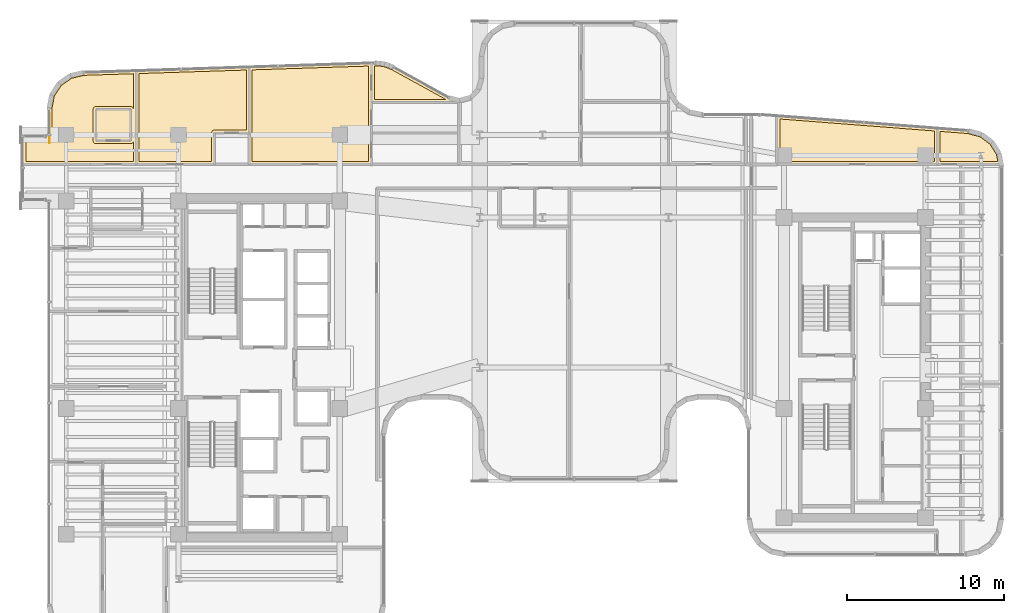
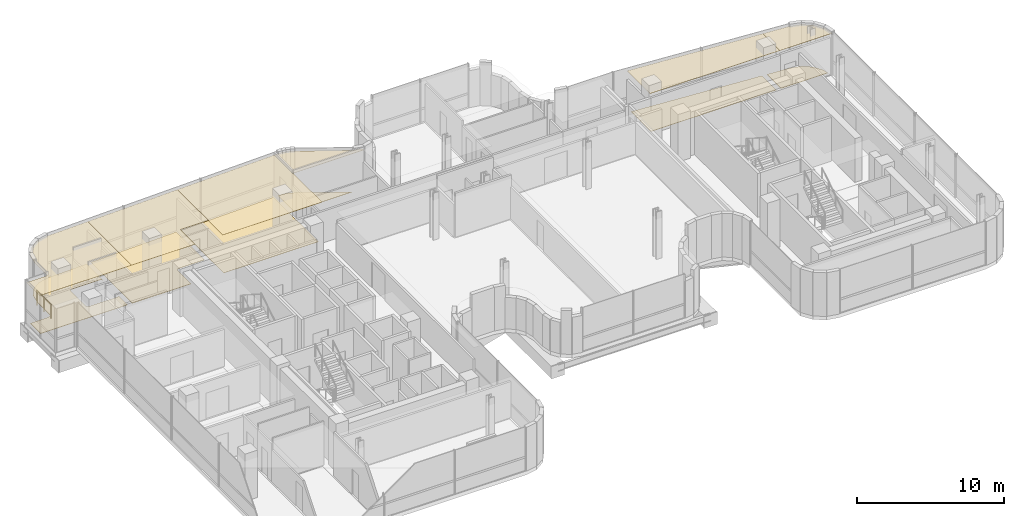
# One storey, part 38 of 39: 12 coverings, 1 railing.
"""IFC4 building model written with IfcOpenShell, lengths in metres."""

from ifc_helpers import new_model, si_unit, direction, frame, origin, origin_2d, place, context, subcontext, project, spatial, polyline, circle, outline, extrude, material, layer, layer_set, type_object, element, save


model = new_model("IFC4")

# Units and contexts
model_context = context("Model", 3, precision=1e-05, world=origin(), true_north=direction((0.0, 1.0)))
body_context = subcontext(model_context, "Body", "Model", "MODEL_VIEW")
ifc_project = project(units=[si_unit("LENGTHUNIT", "METRE"), si_unit("AREAUNIT", "SQUARE_METRE"), si_unit("VOLUMEUNIT", "CUBIC_METRE"), si_unit("PLANEANGLEUNIT", "RADIAN"), si_unit("MASSUNIT", "GRAM", prefix="KILO")], contexts=[model_context])

# Site, building, storey
site_placement = place(None, origin())
site = spatial("IfcSite", under=ifc_project, at=site_placement, CompositionType="ELEMENT")
building_placement = place(site_placement, origin())
building = spatial("IfcBuilding", under=site, at=building_placement, Name="Valdorenza Pilgrim Sanctuary Tower", CompositionType="ELEMENT")
storey_placement = place(building_placement, frame((0.0, 0.0, 184.449951171875)))
storey = spatial("IfcBuildingStorey", under=building, at=storey_placement, Name="L47", CompositionType="ELEMENT", Elevation=184.449951171875)

# Coverings
ifc_material_1 = material(Name="Micro-perforated acoustic mineral ceiling tile", Category="gypsum")
ifc_layer_1 = layer(ifc_material_1, 0.02490234375, Name="Micro-perforated acoustic mineral ceiling tile")
ifc_layer_set_1 = layer_set([ifc_layer_1], Name="Micro-perforated acoustic mineral ceiling tile")
covering_type_1 = type_object("IfcCoveringType", Name="COV-CLG-ACU", PredefinedType="CEILING", material=ifc_layer_set_1)
covering_1_placement = place(storey_placement, frame((0.0, 0.0, 3.330078125)))
element("IfcCovering", 1, at=covering_1_placement, inside=storey, type_object=covering_type_1, Name="L47 North Family Guest Room L47-N1A Acoustic Ceiling", PredefinedType="CEILING", context=body_context, shape_type="SweptSolid", body=[
    extrude(outline(polyline([(-31.00048828125, 14.705078125), (-30.99072265625, 14.70556640625), (-30.9814453125, 14.706787109375), (-30.972412109375, 14.708984375), (-30.963623046875, 14.712158203125), (-30.955078125, 14.71630859375), (-30.947265625, 14.720947265625), (-30.939697265625, 14.7265625), (-30.932861328125, 14.73291015625), (-30.926513671875, 14.73974609375), (-30.9208984375, 14.747314453125), (-30.916259765625, 14.755126953125), (-30.912109375, 14.763671875), (-30.9091796875, 14.7724609375), (-30.90673828125, 14.781494140625), (-30.905517578125, 14.790771484375), (-30.905029296875, 14.80029296875), (-30.905029296875, 16.46630859375), (-30.90478515625, 16.4677734375), (-30.90478515625, 16.46923828125), (-30.735595703125, 17.337890625), (-30.735107421875, 17.33935546875), (-30.734619140625, 17.3408203125), (-30.734130859375, 17.342041015625), (-30.7333984375, 17.34326171875), (-30.256591796875, 18.076416015625), (-30.255615234375, 18.077392578125), (-30.254638671875, 18.07861328125), (-30.253662109375, 18.07958984375), (-30.25244140625, 18.08056640625), (-29.535400390625, 18.580810546875), (-29.5341796875, 18.581787109375), (-29.532958984375, 18.58251953125), (-29.531494140625, 18.5830078125), (-29.5302734375, 18.583251953125), (-28.667236328125, 18.780517578125), (-28.665771484375, 18.781005859375), (-28.664306640625, 18.781005859375), (-25.35400390625, 18.888916015625), (-25.3525390625, 18.888916015625), (-25.35107421875, 18.888671875), (-25.349609375, 18.88818359375), (-25.34814453125, 18.8876953125), (-25.3466796875, 18.88720703125), (-25.345458984375, 18.886474609375), (-25.34423828125, 18.885498046875), (-25.343017578125, 18.884521484375), (-25.342041015625, 18.883544921875), (-25.341064453125, 18.88232421875), (-25.34033203125, 18.881103515625), (-25.339599609375, 18.879638671875), (-25.339111328125, 18.878173828125), (-25.3388671875, 18.876708984375), (-25.338623046875, 18.875244140625), (-25.33837890625, 18.873779296875), (-25.33837890625, 12.919921875), (-25.338623046875, 12.91845703125), (-25.3388671875, 12.9169921875), (-25.339111328125, 12.91552734375), (-25.339599609375, 12.914306640625), (-25.34033203125, 12.912841796875), (-25.341064453125, 12.91162109375), (-25.341796875, 12.910400390625), (-25.343017578125, 12.909423828125), (-25.343994140625, 12.908447265625), (-25.34521484375, 12.907470703125), (-25.346435546875, 12.90673828125), (-25.347900390625, 12.906005859375), (-25.34912109375, 12.905517578125), (-25.3505859375, 12.9052734375), (-25.35205078125, 12.905029296875), (-25.353515625, 12.905029296875), (-32.5400390625, 12.905029296875), (-32.54150390625, 12.905029296875), (-32.54296875, 12.9052734375), (-32.54443359375, 12.905517578125), (-32.545654296875, 12.906005859375), (-32.547119140625, 12.90673828125), (-32.54833984375, 12.907470703125), (-32.549560546875, 12.908447265625), (-32.550537109375, 12.909423828125), (-32.551513671875, 12.910400390625), (-32.552490234375, 12.91162109375), (-32.55322265625, 12.912841796875), (-32.553955078125, 12.914306640625), (-32.554443359375, 12.91552734375), (-32.5546875, 12.9169921875), (-32.554931640625, 12.91845703125), (-32.554931640625, 12.919921875), (-32.554931640625, 14.68994140625), (-32.554931640625, 14.69140625), (-32.5546875, 14.69287109375), (-32.554443359375, 14.6943359375), (-32.553955078125, 14.69580078125), (-32.55322265625, 14.697021484375), (-32.552490234375, 14.6982421875), (-32.551513671875, 14.699462890625), (-32.550537109375, 14.70068359375), (-32.549560546875, 14.70166015625), (-32.54833984375, 14.702392578125), (-32.547119140625, 14.703125), (-32.545654296875, 14.703857421875), (-32.54443359375, 14.704345703125), (-32.54296875, 14.70458984375), (-32.54150390625, 14.704833984375), (-32.5400390625, 14.705078125), (-31.00048828125, 14.705078125)])), origin(), (0.0, 0.0, 1.0), 0.02490234375),
])
covering_2_placement = place(storey_placement, frame((0.0, 0.0, 3.330078125)))
element("IfcCovering", 2, at=covering_2_placement, inside=storey, type_object=covering_type_1, Name="L47 North Family Guest Room L47-N1B Acoustic Ceiling", PredefinedType="CEILING", context=body_context, shape_type="SweptSolid", body=[
    extrude(outline(polyline([(-25.366455078125, 18.873779296875), (-25.366455078125, 18.87451171875), (-25.3662109375, 18.876220703125), (-25.365966796875, 18.87744140625), (-25.365478515625, 18.87890625), (-25.364990234375, 18.88037109375), (-25.3642578125, 18.881591796875), (-25.363525390625, 18.8828125), (-25.362548828125, 18.884033203125), (-25.361572265625, 18.885009765625), (-25.3603515625, 18.885986328125), (-25.359130859375, 18.88671875), (-25.35791015625, 18.887451171875), (-25.3564453125, 18.887939453125), (-25.35498046875, 18.888427734375), (-25.353515625, 18.888671875), (-25.35205078125, 18.888916015625), (-18.16748046875, 19.122802734375), (-18.166015625, 19.122802734375), (-18.16455078125, 19.12255859375), (-18.1630859375, 19.122314453125), (-18.16162109375, 19.121826171875), (-18.16015625, 19.12109375), (-18.158935546875, 19.120361328125), (-18.15771484375, 19.119384765625), (-18.156494140625, 19.11865234375), (-18.155517578125, 19.117431640625), (-18.154541015625, 19.1162109375), (-18.15380859375, 19.114990234375), (-18.1533203125, 19.113525390625), (-18.152587890625, 19.1123046875), (-18.15234375, 19.11083984375), (-18.152099609375, 19.109375), (-18.152099609375, 19.10791015625), (-18.152099609375, 14.922119140625), (-18.152099609375, 14.92041015625), (-18.15234375, 14.919189453125), (-18.152587890625, 14.91748046875), (-18.153076171875, 14.916259765625), (-18.15380859375, 14.914794921875), (-18.154541015625, 14.913818359375), (-18.155517578125, 14.91259765625), (-18.156494140625, 14.911376953125), (-18.157470703125, 14.910400390625), (-18.15869140625, 14.909423828125), (-18.159912109375, 14.90869140625), (-18.161376953125, 14.908203125), (-18.16259765625, 14.90771484375), (-18.1640625, 14.9072265625), (-18.16552734375, 14.906982421875), (-18.1669921875, 14.906982421875), (-20.35400390625, 14.906982421875), (-20.35400390625, 12.919921875), (-20.35400390625, 12.91845703125), (-20.354248046875, 12.9169921875), (-20.3544921875, 12.91552734375), (-20.35498046875, 12.914306640625), (-20.355712890625, 12.912841796875), (-20.3564453125, 12.91162109375), (-20.357421875, 12.910400390625), (-20.3583984375, 12.909423828125), (-20.359619140625, 12.908447265625), (-20.360595703125, 12.907470703125), (-20.36181640625, 12.90673828125), (-20.36328125, 12.906005859375), (-20.364501953125, 12.905517578125), (-20.3662109375, 12.9052734375), (-20.367431640625, 12.905029296875), (-20.368896484375, 12.905029296875), (-25.3515625, 12.905029296875), (-25.35302734375, 12.905029296875), (-25.3544921875, 12.9052734375), (-25.35595703125, 12.905517578125), (-25.357177734375, 12.906005859375), (-25.358642578125, 12.90673828125), (-25.35986328125, 12.907470703125), (-25.361083984375, 12.908447265625), (-25.362060546875, 12.909423828125), (-25.363037109375, 12.910400390625), (-25.364013671875, 12.91162109375), (-25.36474609375, 12.912841796875), (-25.365478515625, 12.914306640625), (-25.365966796875, 12.91552734375), (-25.3662109375, 12.9169921875), (-25.366455078125, 12.91845703125), (-25.366455078125, 12.919921875), (-25.366455078125, 18.873779296875), (-25.366455078125, 18.873779296875)])), origin(), (0.0, 0.0, 1.0), 0.02490234375),
])
covering_3_placement = place(storey_placement, frame((0.0, 0.0, 3.330078125)))
element("IfcCovering", 3, at=covering_3_placement, inside=storey, type_object=covering_type_1, Name="L47 North Family Flat L47-N2 Bedroom Acoustic Ceiling", PredefinedType="CEILING", context=body_context, shape_type="SweptSolid", body=[
    extrude(outline(polyline([(-10.38330078125, 16.85498046875), (-10.385009765625, 16.85498046875), (-10.38623046875, 16.855224609375), (-10.3876953125, 16.855712890625), (-10.38916015625, 16.856201171875), (-10.390380859375, 16.856689453125), (-10.3916015625, 16.857421875), (-10.392822265625, 16.8583984375), (-10.39404296875, 16.859375), (-10.39501953125, 16.860595703125), (-10.39599609375, 16.86181640625), (-10.396484375, 16.86279296875), (-10.397216796875, 16.8642578125), (-10.397705078125, 16.865478515625), (-10.398193359375, 16.8671875), (-10.398193359375, 16.868408203125), (-10.3984375, 16.8701171875), (-10.3984375, 19.361083984375), (-10.398193359375, 19.362548828125), (-10.398193359375, 19.364013671875), (-10.397705078125, 19.365478515625), (-10.397216796875, 19.36669921875), (-10.396728515625, 19.3681640625), (-10.39599609375, 19.369384765625), (-10.39501953125, 19.37060546875), (-10.394287109375, 19.37158203125), (-10.39306640625, 19.37255859375), (-10.39208984375, 19.37353515625), (-10.390869140625, 19.374267578125), (-10.389404296875, 19.375), (-10.38818359375, 19.37548828125), (-10.38671875, 19.375732421875), (-10.38525390625, 19.376220703125), (-10.3837890625, 19.376220703125), (-10.15966796875, 19.383544921875), (-10.1591796875, 19.383544921875), (-10.156982421875, 19.383544921875), (-10.156494140625, 19.383544921875), (-9.84765625, 19.372802734375), (-9.845703125, 19.37255859375), (-9.5439453125, 19.3212890625), (-9.5419921875, 19.32080078125), (-9.24951171875, 19.229736328125), (-9.24755859375, 19.22900390625), (-8.966552734375, 19.09814453125), (-8.9658203125, 19.097900390625), (-5.477294921875, 17.178955078125), (-5.469482421875, 17.17529296875), (-5.4619140625, 17.172119140625), (-5.453857421875, 17.169921875), (-4.829345703125, 17.0146484375), (-4.827880859375, 17.014404296875), (-4.82666015625, 17.013671875), (-4.825439453125, 17.01318359375), (-4.82421875, 17.01220703125), (-4.822998046875, 17.011474609375), (-4.822021484375, 17.010498046875), (-4.8212890625, 17.00927734375), (-4.8203125, 17.00830078125), (-4.819580078125, 17.007080078125), (-4.819091796875, 17.005615234375), (-4.818603515625, 17.00439453125), (-4.818359375, 17.0029296875), (-4.818115234375, 17.00146484375), (-4.818115234375, 17.0), (-4.818115234375, 16.8701171875), (-4.818115234375, 16.868408203125), (-4.818359375, 16.8671875), (-4.818603515625, 16.865478515625), (-4.819091796875, 16.8642578125), (-4.81982421875, 16.86279296875), (-4.820556640625, 16.86181640625), (-4.8212890625, 16.860595703125), (-4.822509765625, 16.859375), (-4.823486328125, 16.8583984375), (-4.82470703125, 16.857421875), (-4.825927734375, 16.856689453125), (-4.827392578125, 16.856201171875), (-4.82861328125, 16.855712890625), (-4.830078125, 16.855224609375), (-4.83154296875, 16.85498046875), (-4.8330078125, 16.85498046875), (-10.38330078125, 16.85498046875)])), origin(), (0.0, 0.0, 1.0), 0.02490234375),
])
covering_4_placement = place(storey_placement, frame((0.0, 0.0, 3.330078125)))
element("IfcCovering", 4, at=covering_4_placement, inside=storey, type_object=covering_type_1, Name="L47 North Family Flat L47-N2 Living Room Acoustic Ceiling", PredefinedType="CEILING", context=body_context, shape_type="SweptSolid", body=[
    extrude(outline(polyline([(-18.179931640625, 14.918212890625), (-18.18017578125, 14.9189453125), (-18.180419921875, 14.92041015625), (-18.18017578125, 14.922119140625), (-18.18017578125, 14.923583984375), (-18.179931640625, 14.923828125), (-18.179931640625, 19.10791015625), (-18.179931640625, 19.10791015625), (-18.179931640625, 19.108642578125), (-18.1796875, 19.110107421875), (-18.179443359375, 19.111572265625), (-18.17919921875, 19.11279296875), (-18.178466796875, 19.1142578125), (-18.177734375, 19.115478515625), (-18.177001953125, 19.116943359375), (-18.176025390625, 19.117919921875), (-18.175048828125, 19.118896484375), (-18.173828125, 19.1201171875), (-18.172607421875, 19.120849609375), (-18.17138671875, 19.12158203125), (-18.169921875, 19.1220703125), (-18.16845703125, 19.122314453125), (-18.1669921875, 19.122802734375), (-18.16552734375, 19.122802734375), (-10.385986328125, 19.376220703125), (-10.384521484375, 19.376220703125), (-10.3828125, 19.3759765625), (-10.38134765625, 19.37548828125), (-10.3798828125, 19.375), (-10.378662109375, 19.37451171875), (-10.377197265625, 19.373779296875), (-10.376220703125, 19.372802734375), (-10.375, 19.371826171875), (-10.373779296875, 19.370849609375), (-10.373046875, 19.36962890625), (-10.372314453125, 19.368408203125), (-10.37158203125, 19.366943359375), (-10.37109375, 19.365478515625), (-10.37060546875, 19.364013671875), (-10.37060546875, 19.362548828125), (-10.370361328125, 19.361083984375), (-10.370361328125, 16.87548828125), (-10.3701171875, 16.875), (-10.369384765625, 16.87353515625), (-10.368896484375, 16.872314453125), (-10.36865234375, 16.870849609375), (-10.368408203125, 16.869384765625), (-10.368408203125, 16.867919921875), (-10.368408203125, 12.919921875), (-10.368408203125, 12.91845703125), (-10.36865234375, 12.9169921875), (-10.368896484375, 12.91552734375), (-10.369384765625, 12.914306640625), (-10.3701171875, 12.912841796875), (-10.370849609375, 12.91162109375), (-10.371826171875, 12.910400390625), (-10.372802734375, 12.909423828125), (-10.373779296875, 12.908447265625), (-10.375, 12.907470703125), (-10.376220703125, 12.90673828125), (-10.377685546875, 12.906005859375), (-10.37890625, 12.905517578125), (-10.380615234375, 12.9052734375), (-10.3818359375, 12.905029296875), (-10.38330078125, 12.905029296875), (-18.1650390625, 12.905029296875), (-18.16650390625, 12.905029296875), (-18.16796875, 12.9052734375), (-18.16943359375, 12.905517578125), (-18.170654296875, 12.906005859375), (-18.172119140625, 12.90673828125), (-18.17333984375, 12.907470703125), (-18.174560546875, 12.908447265625), (-18.175537109375, 12.909423828125), (-18.176513671875, 12.910400390625), (-18.177490234375, 12.91162109375), (-18.17822265625, 12.912841796875), (-18.178955078125, 12.914306640625), (-18.179443359375, 12.91552734375), (-18.1796875, 12.9169921875), (-18.179931640625, 12.91845703125), (-18.179931640625, 12.919921875), (-18.179931640625, 14.918212890625)])), origin(), (0.0, 0.0, 1.0), 0.02490234375),
])
covering_5_placement = place(storey_placement, frame((0.0, 0.0, 3.330078125)))
element("IfcCovering", 5, at=covering_5_placement, inside=storey, type_object=covering_type_1, Name="L47 Curator Research Office L47-BN1 Acoustic Ceiling", PredefinedType="CEILING", context=body_context, shape_type="SweptSolid", body=[
    extrude(outline(polyline([(15.39990234375, 12.905029296875), (15.3984375, 12.905029296875), (15.397216796875, 12.9052734375), (15.3955078125, 12.905517578125), (15.394287109375, 12.906005859375), (15.392822265625, 12.90673828125), (15.3916015625, 12.907470703125), (15.390380859375, 12.908447265625), (15.389404296875, 12.909423828125), (15.388427734375, 12.910400390625), (15.387451171875, 12.91162109375), (15.38671875, 12.912841796875), (15.385986328125, 12.914306640625), (15.385498046875, 12.91552734375), (15.38525390625, 12.9169921875), (15.385009765625, 12.91845703125), (15.385009765625, 12.919921875), (15.385009765625, 16.00439453125), (15.385009765625, 16.006103515625), (15.38525390625, 16.00732421875), (15.385498046875, 16.0087890625), (15.385986328125, 16.01025390625), (15.38671875, 16.011474609375), (15.387451171875, 16.0126953125), (15.38818359375, 16.013916015625), (15.389404296875, 16.014892578125), (15.390380859375, 16.01611328125), (15.3916015625, 16.016845703125), (15.392822265625, 16.017578125), (15.39404296875, 16.018310546875), (15.3955078125, 16.018798828125), (15.396728515625, 16.019287109375), (15.398193359375, 16.019287109375), (15.399658203125, 16.01953125), (15.401123046875, 16.01953125), (25.601318359375, 15.229736328125), (25.6025390625, 15.2294921875), (25.60400390625, 15.229248046875), (25.60546875, 15.228759765625), (25.60693359375, 15.228271484375), (25.608154296875, 15.2275390625), (25.609375, 15.2265625), (25.610595703125, 15.2255859375), (25.611572265625, 15.224609375), (25.6123046875, 15.223388671875), (25.61328125, 15.221923828125), (25.61376953125, 15.220703125), (25.6142578125, 15.21923828125), (25.61474609375, 15.2177734375), (25.614990234375, 15.21630859375), (25.614990234375, 15.21484375), (25.614990234375, 12.919921875), (25.614990234375, 12.91845703125), (25.61474609375, 12.9169921875), (25.614501953125, 12.91552734375), (25.614013671875, 12.914306640625), (25.61328125, 12.912841796875), (25.612548828125, 12.91162109375), (25.611572265625, 12.910400390625), (25.610595703125, 12.909423828125), (25.609619140625, 12.908447265625), (25.6083984375, 12.907470703125), (25.607177734375, 12.90673828125), (25.605712890625, 12.906005859375), (25.6044921875, 12.905517578125), (25.602783203125, 12.9052734375), (25.6015625, 12.905029296875), (25.60009765625, 12.905029296875), (15.39990234375, 12.905029296875)])), origin(), (0.0, 0.0, 1.0), 0.02490234375),
])
covering_6_placement = place(storey_placement, frame((0.0, 0.0, 3.330078125)))
element("IfcCovering", 6, at=covering_6_placement, inside=storey, type_object=covering_type_1, Name="L47 East Wing Reference Library L47-BNE Acoustic Ceiling", PredefinedType="CEILING", context=body_context, shape_type="SweptSolid", body=[
    extrude(outline(polyline([(27.567626953125, 15.07763671875), (27.569091796875, 15.077392578125), (27.570556640625, 15.0771484375), (28.400390625, 14.852783203125), (28.40185546875, 14.852294921875), (28.403076171875, 14.851806640625), (28.404296875, 14.85107421875), (28.405517578125, 14.850341796875), (29.088134765625, 14.344970703125), (29.089111328125, 14.343994140625), (29.090087890625, 14.343017578125), (29.091064453125, 14.342041015625), (29.091796875, 14.3408203125), (29.543212890625, 13.62109375), (29.543701171875, 13.6201171875), (29.544189453125, 13.61865234375), (29.544921875, 13.617431640625), (29.545166015625, 13.615966796875), (29.676025390625, 12.9228515625), (29.67626953125, 12.92138671875), (29.67626953125, 12.919921875), (29.67626953125, 12.91845703125), (29.676025390625, 12.9169921875), (29.67578125, 12.91552734375), (29.67529296875, 12.914306640625), (29.674560546875, 12.912841796875), (29.673828125, 12.91162109375), (29.6728515625, 12.910400390625), (29.671875, 12.9091796875), (29.6708984375, 12.908447265625), (29.669677734375, 12.907470703125), (29.66845703125, 12.90673828125), (29.6669921875, 12.906005859375), (29.665771484375, 12.905517578125), (29.664306640625, 12.9052734375), (29.662841796875, 12.905029296875), (29.661376953125, 12.905029296875), (25.60205078125, 12.905029296875), (25.6005859375, 12.905029296875), (25.59912109375, 12.9052734375), (25.59765625, 12.905517578125), (25.59619140625, 12.906005859375), (25.594970703125, 12.90673828125), (25.59375, 12.907470703125), (25.592529296875, 12.908447265625), (25.59130859375, 12.909423828125), (25.59033203125, 12.910400390625), (25.589599609375, 12.91162109375), (25.5888671875, 12.912841796875), (25.588134765625, 12.914306640625), (25.587646484375, 12.91552734375), (25.58740234375, 12.9169921875), (25.587158203125, 12.91845703125), (25.5869140625, 12.919921875), (25.5869140625, 15.214599609375), (25.587158203125, 15.21630859375), (25.58740234375, 15.217529296875), (25.587646484375, 15.218994140625), (25.588134765625, 15.220458984375), (25.588623046875, 15.2216796875), (25.589599609375, 15.222900390625), (25.59033203125, 15.22412109375), (25.59130859375, 15.22509765625), (25.59228515625, 15.226318359375), (25.593505859375, 15.22705078125), (25.5947265625, 15.227783203125), (25.59619140625, 15.228515625), (25.597412109375, 15.22900390625), (25.598876953125, 15.2294921875), (25.600341796875, 15.2294921875), (25.601806640625, 15.229736328125), (25.603271484375, 15.229736328125), (27.567626953125, 15.07763671875)])), origin(), (0.0, 0.0, 1.0), 0.02490234375),
])
ifc_material_2 = material(Name="Engineered European oak timber flooring", Category="wood")
ifc_layer_2 = layer(ifc_material_2, 0.02197265625, Name="Engineered European oak timber flooring")
ifc_layer_set_2 = layer_set([ifc_layer_2], Name="Engineered European oak timber flooring")
covering_type_2 = type_object("IfcCoveringType", Name="COV-FLR-OAK", PredefinedType="FLOORING", material=ifc_layer_set_2)
covering_7_placement = place(storey_placement, origin())
element("IfcCovering", 7, at=covering_7_placement, inside=storey, type_object=covering_type_2, Name="L47 North Family Guest Room L47-N1A Flooring", PredefinedType="FLOORING", context=body_context, shape_type="SweptSolid", body=[
    extrude(outline(polyline([(-31.0, 14.510009765625), (-30.9912109375, 14.51025390625), (-30.98046875, 14.5107421875), (-30.962890625, 14.512451171875), (-30.9521484375, 14.51416015625), (-30.934814453125, 14.517578125), (-30.92431640625, 14.52001953125), (-30.907470703125, 14.525390625), (-30.897216796875, 14.52880859375), (-30.880859375, 14.53564453125), (-30.87109375, 14.540283203125), (-30.855712890625, 14.548583984375), (-30.84619140625, 14.55419921875), (-30.831787109375, 14.56396484375), (-30.822998046875, 14.5703125), (-30.809326171875, 14.58154296875), (-30.80126953125, 14.5888671875), (-30.788818359375, 14.601318359375), (-30.781494140625, 14.609375), (-30.7705078125, 14.623046875), (-30.763916015625, 14.631591796875), (-30.754150390625, 14.646240234375), (-30.74853515625, 14.655517578125), (-30.740234375, 14.671142578125), (-30.735595703125, 14.680908203125), (-30.72900390625, 14.697265625), (-30.725341796875, 14.70751953125), (-30.72021484375, 14.724365234375), (-30.717529296875, 14.73486328125), (-30.714111328125, 14.752197265625), (-30.71240234375, 14.7626953125), (-30.710693359375, 14.780517578125), (-30.710205078125, 14.791259765625), (-30.7099609375, 14.800048828125), (-30.7099609375, 16.448974609375), (-30.55078125, 17.266357421875), (-30.112060546875, 17.940673828125), (-29.45263671875, 18.40087890625), (-28.640625, 18.586669921875), (-25.533447265625, 18.687744140625), (-25.533447265625, 16.489013671875), (-25.537109375, 16.497802734375), (-25.537109375, 16.497802734375), (-25.54541015625, 16.513427734375), (-25.545654296875, 16.513671875), (-25.555419921875, 16.5283203125), (-25.5556640625, 16.528564453125), (-25.56689453125, 16.5419921875), (-25.56689453125, 16.542236328125), (-25.579345703125, 16.5546875), (-25.57958984375, 16.554931640625), (-25.59326171875, 16.566162109375), (-25.593505859375, 16.566162109375), (-25.608154296875, 16.576171875), (-25.608154296875, 16.576171875), (-25.623779296875, 16.58447265625), (-25.6240234375, 16.584716796875), (-25.640380859375, 16.59130859375), (-25.640380859375, 16.59130859375), (-25.657470703125, 16.596435546875), (-25.65771484375, 16.5966796875), (-25.6748046875, 16.60009765625), (-25.675048828125, 16.60009765625), (-25.692626953125, 16.601806640625), (-25.69287109375, 16.601806640625), (-25.70166015625, 16.60205078125), (-27.901611328125, 16.60205078125), (-27.910400390625, 16.601806640625), (-27.91064453125, 16.601806640625), (-27.92822265625, 16.60009765625), (-27.928466796875, 16.60009765625), (-27.94580078125, 16.5966796875), (-27.946044921875, 16.596435546875), (-27.962890625, 16.59130859375), (-27.963134765625, 16.59130859375), (-27.9794921875, 16.584716796875), (-27.9794921875, 16.58447265625), (-27.9951171875, 16.576171875), (-27.995361328125, 16.576171875), (-28.010009765625, 16.566162109375), (-28.01025390625, 16.566162109375), (-28.023681640625, 16.554931640625), (-28.02392578125, 16.5546875), (-28.03662109375, 16.542236328125), (-28.03662109375, 16.5419921875), (-28.0478515625, 16.528564453125), (-28.0478515625, 16.5283203125), (-28.057861328125, 16.513671875), (-28.057861328125, 16.513427734375), (-28.066162109375, 16.497802734375), (-28.06640625, 16.497802734375), (-28.072998046875, 16.4814453125), (-28.072998046875, 16.481201171875), (-28.078125, 16.46435546875), (-28.078369140625, 16.464111328125), (-28.081787109375, 16.44677734375), (-28.081787109375, 16.446533203125), (-28.08349609375, 16.428955078125), (-28.08349609375, 16.4287109375), (-28.083740234375, 16.419921875), (-28.083740234375, 14.419921875), (-28.08349609375, 14.4111328125), (-28.08349609375, 14.410888671875), (-28.081787109375, 14.393310546875), (-28.081787109375, 14.393310546875), (-28.078369140625, 14.3759765625), (-28.078125, 14.375732421875), (-28.072998046875, 14.35888671875), (-28.072998046875, 14.358642578125), (-28.06640625, 14.34228515625), (-28.066162109375, 14.342041015625), (-28.057861328125, 14.326416015625), (-28.057861328125, 14.326416015625), (-28.0478515625, 14.311767578125), (-28.0478515625, 14.3115234375), (-28.03662109375, 14.2978515625), (-28.03662109375, 14.297607421875), (-28.02392578125, 14.28515625), (-28.023681640625, 14.28515625), (-28.01025390625, 14.27392578125), (-28.010009765625, 14.273681640625), (-27.995361328125, 14.263916015625), (-27.9951171875, 14.263916015625), (-27.9794921875, 14.255615234375), (-27.9794921875, 14.25537109375), (-27.963134765625, 14.248779296875), (-27.962890625, 14.24853515625), (-27.946044921875, 14.243408203125), (-27.94580078125, 14.243408203125), (-27.928466796875, 14.239990234375), (-27.92822265625, 14.239990234375), (-27.91064453125, 14.23828125), (-27.910400390625, 14.23828125), (-27.901611328125, 14.238037109375), (-25.70166015625, 14.238037109375), (-25.69287109375, 14.23828125), (-25.692626953125, 14.23828125), (-25.675048828125, 14.239990234375), (-25.6748046875, 14.239990234375), (-25.65771484375, 14.243408203125), (-25.657470703125, 14.243408203125), (-25.640380859375, 14.24853515625), (-25.640380859375, 14.248779296875), (-25.6240234375, 14.25537109375), (-25.623779296875, 14.255615234375), (-25.608154296875, 14.263916015625), (-25.608154296875, 14.263916015625), (-25.593505859375, 14.273681640625), (-25.59326171875, 14.27392578125), (-25.57958984375, 14.28515625), (-25.579345703125, 14.28515625), (-25.56689453125, 14.297607421875), (-25.56689453125, 14.2978515625), (-25.5556640625, 14.3115234375), (-25.555419921875, 14.311767578125), (-25.545654296875, 14.326416015625), (-25.54541015625, 14.326416015625), (-25.537109375, 14.342041015625), (-25.537109375, 14.34228515625), (-25.533447265625, 14.35107421875), (-25.533447265625, 13.10009765625), (-32.360107421875, 13.10009765625), (-32.360107421875, 14.510009765625), (-31.0, 14.510009765625)])), origin(), (0.0, 0.0, 1.0), 0.025146484375),
])
covering_8_placement = place(storey_placement, origin())
element("IfcCovering", 8, at=covering_8_placement, inside=storey, type_object=covering_type_2, Name="L47 North Family Guest Room L47-N1B Flooring", PredefinedType="FLOORING", context=body_context, shape_type="SweptSolid", body=[
    extrude(outline(polyline([(-18.346923828125, 18.921875), (-18.346923828125, 15.10205078125), (-20.366943359375, 15.10205078125), (-20.375732421875, 15.101806640625), (-20.3759765625, 15.101806640625), (-20.3935546875, 15.10009765625), (-20.393798828125, 15.10009765625), (-20.4111328125, 15.0966796875), (-20.411376953125, 15.096435546875), (-20.42822265625, 15.09130859375), (-20.428466796875, 15.09130859375), (-20.444580078125, 15.084716796875), (-20.44482421875, 15.08447265625), (-20.46044921875, 15.076171875), (-20.460693359375, 15.076171875), (-20.475341796875, 15.066162109375), (-20.4755859375, 15.066162109375), (-20.489013671875, 15.054931640625), (-20.4892578125, 15.0546875), (-20.501708984375, 15.042236328125), (-20.501953125, 15.0419921875), (-20.51318359375, 15.028564453125), (-20.51318359375, 15.0283203125), (-20.523193359375, 15.013671875), (-20.523193359375, 15.013427734375), (-20.531494140625, 14.997802734375), (-20.531494140625, 14.997802734375), (-20.538330078125, 14.9814453125), (-20.538330078125, 14.981201171875), (-20.54345703125, 14.96435546875), (-20.543701171875, 14.964111328125), (-20.547119140625, 14.94677734375), (-20.547119140625, 14.946533203125), (-20.548828125, 14.928955078125), (-20.548828125, 14.9287109375), (-20.549072265625, 14.919921875), (-20.549072265625, 13.10009765625), (-25.17138671875, 13.10009765625), (-25.17138671875, 18.69970703125), (-18.346923828125, 18.921875)])), origin(), (0.0, 0.0, 1.0), 0.025146484375),
])
covering_9_placement = place(storey_placement, origin())
element("IfcCovering", 9, at=covering_9_placement, inside=storey, type_object=covering_type_2, Name="L47 North Family Flat L47-N2 Bedroom Flooring", PredefinedType="FLOORING", context=body_context, shape_type="SweptSolid", body=[
    extrude(outline(polyline([(-10.203369140625, 17.050048828125), (-10.203369140625, 19.18701171875), (-10.158203125, 19.1884765625), (-9.866455078125, 19.17822265625), (-9.58837890625, 19.131103515625), (-9.319091796875, 19.047119140625), (-9.054443359375, 18.924072265625), (-5.647216796875, 17.050048828125), (-10.203369140625, 17.050048828125)])), origin(), (0.0, 0.0, 1.0), 0.025146484375),
])
covering_10_placement = place(storey_placement, origin())
element("IfcCovering", 10, at=covering_10_placement, inside=storey, type_object=covering_type_2, Name="L47 North Family Flat L47-N2 Living Room Flooring", PredefinedType="FLOORING", context=body_context, shape_type="SweptSolid", body=[
    extrude(outline(polyline([(-17.985107421875, 14.921630859375), (-17.985107421875, 14.922119140625), (-17.985107421875, 18.93359375), (-10.5654296875, 19.17529296875), (-10.5654296875, 16.8701171875), (-10.5634765625, 13.10009765625), (-17.985107421875, 13.10009765625), (-17.985107421875, 14.919921875), (-17.985107421875, 14.9208984375), (-17.985107421875, 14.921630859375)])), origin(), (0.0, 0.0, 1.0), 0.025146484375),
])
ifc_material_3 = material(Name="Honed travertine stone flooring", Category="masonry")
ifc_layer_3 = layer(ifc_material_3, 0.030029296875, Name="Honed travertine stone flooring")
ifc_layer_set_3 = layer_set([ifc_layer_3], Name="Honed travertine stone flooring")
covering_type_3 = type_object("IfcCoveringType", Name="COV-FLR-TRV", PredefinedType="FLOORING", material=ifc_layer_set_3)
covering_11_placement = place(storey_placement, origin())
element("IfcCovering", 11, at=covering_11_placement, inside=storey, type_object=covering_type_3, Name="L47 Curator Research Office L47-BN1 Flooring", PredefinedType="FLOORING", context=body_context, shape_type="SweptSolid", body=[
    extrude(outline(polyline([(15.580078125, 13.10009765625), (15.580078125, 15.81005859375), (25.419921875, 15.04833984375), (25.419921875, 13.10009765625), (15.580078125, 13.10009765625)])), origin(), (0.0, 0.0, 1.0), 0.025146484375),
])
covering_12_placement = place(storey_placement, origin())
element("IfcCovering", 12, at=covering_12_placement, inside=storey, type_object=covering_type_3, Name="L47 East Wing Reference Library L47-BNE Flooring", PredefinedType="FLOORING", context=body_context, shape_type="SweptSolid", body=[
    extrude(outline(polyline([(27.535888671875, 14.884521484375), (28.31689453125, 14.67333984375), (28.944580078125, 14.20849609375), (29.35986328125, 13.54638671875), (29.444091796875, 13.10009765625), (25.781982421875, 13.10009765625), (25.781982421875, 15.020263671875), (27.535888671875, 14.884521484375)])), origin(), (0.0, 0.0, 1.0), 0.025146484375),
])

# Railing
ifc_material_4 = material(Name="Stainless steel Grade 316", Category="steel")
railing_type = type_object("IfcRailingType", Name="RLG-GRD-1120", PredefinedType="GUARDRAIL", material=ifc_material_4)
railing_placement = place(storey_placement, frame((-30.860107421875, 14.300048828125, 0.0)))
element("IfcRailing", 13, at=railing_placement, inside=storey, type_object=railing_type, Name="L47 NW Tangent Safety Sill Guard", PredefinedType="GUARDRAIL", context=body_context, shape_type="SweptSolid", body=[
    extrude(circle(Radius=0.02392578125, at=origin_2d()), frame((0.0, 0.0, 1.17578125), z_axis=(0.0, 1.0, 0.0), x_axis=(-1.0, 0.0, 0.0)), (0.0, 0.0, 1.0), 1.89990234375),
    extrude(circle(Radius=0.02099609375, at=origin_2d()), origin(), (0.0, 0.0, 1.0), 1.15185546875),
    extrude(circle(Radius=0.02099609375, at=origin_2d()), frame((0.0, 0.949951171875, 0.0)), (0.0, 0.0, 1.0), 1.15185546875),
    extrude(circle(Radius=0.02099609375, at=origin_2d()), frame((0.0, 1.89990234375, 0.0)), (0.0, 0.0, 1.0), 1.15185546875),
])

save(model, "model.ifc")
